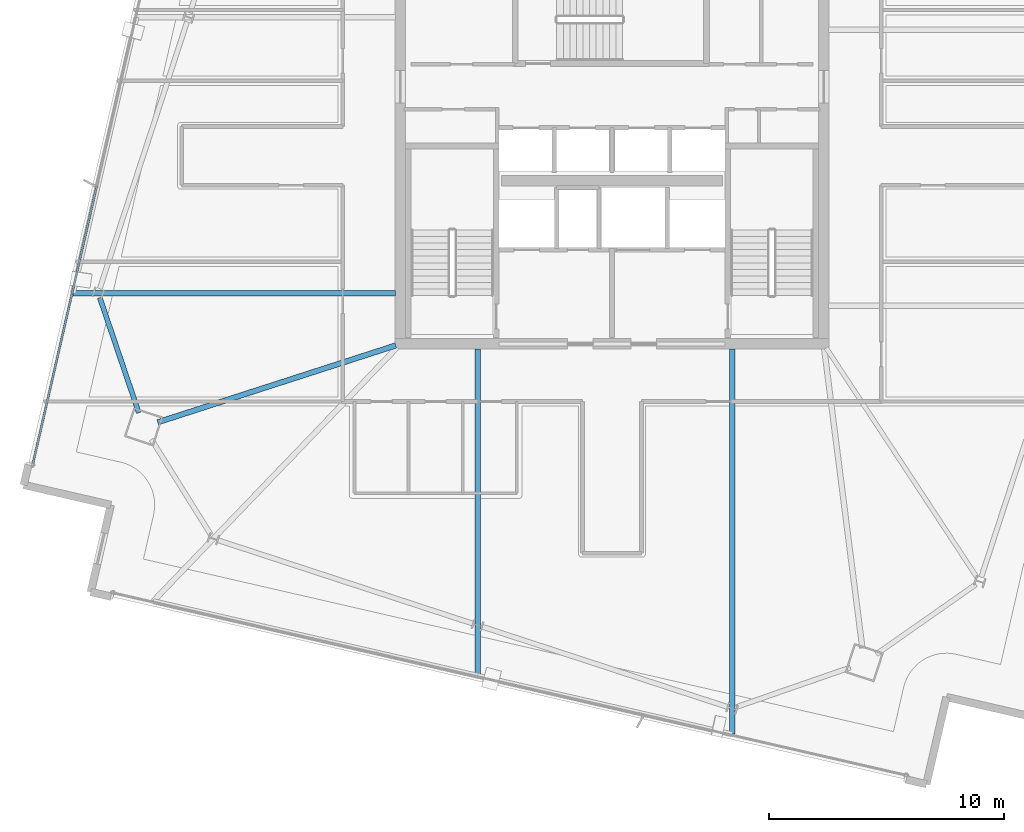
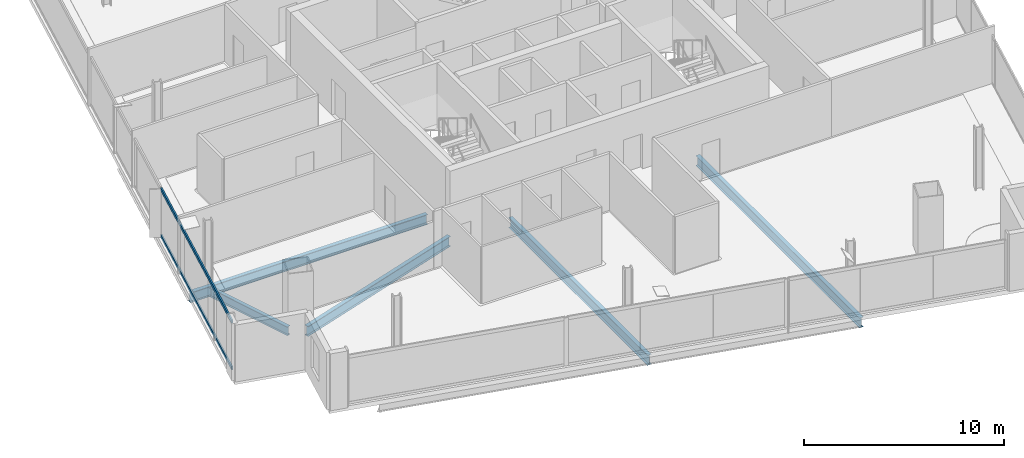
# One storey, part 5 of 28: 5 beams, 2 members, 1 element without a shape of its own.
"""IFC4 building model written with IfcOpenShell, lengths in metres."""

from ifc_helpers import new_model, si_unit, direction, frame, origin, origin_2d, place, context, subcontext, project, spatial, hollow_rectangle, i_section, extrude, material, material_profile, profile_set, type_object, element, aggregate, save


model = new_model("IFC4")

# Units and contexts
model_context = context("Model", 3, precision=1e-05, world=origin(), true_north=direction((0.0, 1.0)))
body_context = subcontext(model_context, "Body", "Model", "MODEL_VIEW")
ifc_project = project(units=[si_unit("LENGTHUNIT", "METRE"), si_unit("AREAUNIT", "SQUARE_METRE"), si_unit("VOLUMEUNIT", "CUBIC_METRE"), si_unit("PLANEANGLEUNIT", "RADIAN"), si_unit("MASSUNIT", "GRAM", prefix="KILO")], contexts=[model_context])

# Site, building, storey
site_placement = place(None, origin())
site = spatial("IfcSite", under=ifc_project, at=site_placement, CompositionType="ELEMENT")
building_placement = place(site_placement, origin())
building = spatial("IfcBuilding", under=site, at=building_placement, Name="Haldenkirk Collegiate Tower", CompositionType="ELEMENT")
storey_placement = place(building_placement, frame((0.0, 0.0, 286.199951171875)))
storey = spatial("IfcBuildingStorey", under=building, at=storey_placement, Name="L72", CompositionType="ELEMENT", Elevation=286.199951171875)

# Beams
ifc_material_1 = material(Name="Steel ASTM A992 Grade 50", Category="steel")
ifc_material_profile_1 = material_profile(ifc_material_1, i_section(OverallWidth=0.22998046875, OverallDepth=0.616943359375, WebThickness=0.01318359375, FlangeThickness=0.022216796875, at=origin_2d()), Name="W24X94")
ifc_profile_set_1 = profile_set([ifc_material_profile_1], Name="Steel ASTM A992 Grade 50")
beam_type_1 = type_object("IfcBeamType", Name="BM-GIRDER-W24X94", PredefinedType="BEAM", material=ifc_profile_set_1)
beam_1_placement = place(storey_placement, frame((16.677001953125, 14.66796875, -0.578369140625), z_axis=(0.95165454957, 0.307170340824, 0.0), x_axis=(-0.307170340824, 0.95165454957, 0.0)))
element("IfcBeam", 1, at=beam_1_placement, inside=storey, type_object=beam_type_1, Name="L72 primary floor girder 04", PredefinedType="BEAM", context=body_context, shape_type="SweptSolid", body=[
    extrude(i_section(OverallWidth=0.22998046875, OverallDepth=0.616943359375, WebThickness=0.01318359375, FlangeThickness=0.022216796875, at=origin_2d()), origin(), (0.0, 0.0, 1.0), 10.642333984375),
])
beam_2_placement = place(storey_placement, frame((13.077880859375, 20.157958984375, -0.578369140625), z_axis=(1.0, 0.0, 0.0), x_axis=(0.0, 1.0, 0.0)))
element("IfcBeam", 2, at=beam_2_placement, inside=storey, type_object=beam_type_1, Name="L72 primary floor girder 13", PredefinedType="BEAM", context=body_context, shape_type="SweptSolid", body=[
    extrude(i_section(OverallWidth=0.22998046875, OverallDepth=0.616943359375, WebThickness=0.01318359375, FlangeThickness=0.022216796875, at=origin_2d()), origin(), (0.0, 0.0, 1.0), 13.717041015625),
])
beam_3_placement = place(storey_placement, frame((30.283203125, 3.888916015625, -0.578369140625), z_axis=(0.0, 1.0, 0.0), x_axis=(-1.0, 0.0, 0.0)))
element("IfcBeam", 3, at=beam_3_placement, inside=storey, type_object=beam_type_1, Name="L72 primary floor girder 15", PredefinedType="BEAM", context=body_context, shape_type="SweptSolid", body=[
    extrude(i_section(OverallWidth=0.22998046875, OverallDepth=0.616943359375, WebThickness=0.01318359375, FlangeThickness=0.022216796875, at=origin_2d()), origin(), (0.0, 0.0, 1.0), 13.906005859375),
])
beam_4_placement = place(storey_placement, frame((41.111083984375, 1.39892578125, -0.578369140625), z_axis=(0.0, 1.0, 0.0), x_axis=(-1.0, 0.0, 0.0)))
element("IfcBeam", 4, at=beam_4_placement, inside=storey, type_object=beam_type_1, Name="L72 primary floor girder 16", PredefinedType="BEAM", context=body_context, shape_type="SweptSolid", body=[
    extrude(i_section(OverallWidth=0.22998046875, OverallDepth=0.616943359375, WebThickness=0.01318359375, FlangeThickness=0.022216796875, at=origin_2d()), origin(), (0.0, 0.0, 1.0), 16.39599609375),
])
ifc_material_profile_2 = material_profile(ifc_material_1, i_section(OverallWidth=0.2099609375, OverallDepth=0.537109375, WebThickness=0.010986328125, FlangeThickness=0.017333984375, at=origin_2d()), Name="W21X68")
ifc_profile_set_2 = profile_set([ifc_material_profile_2], Name="Steel ASTM A992 Grade 50")
beam_type_2 = type_object("IfcBeamType", Name="BM-SPANDREL-W21X68", PredefinedType="SPANDREL", material=ifc_profile_set_2)
beam_5_placement = place(storey_placement, frame((14.214599609375, 19.96630859375, -0.538330078125), z_axis=(0.321210878439, -0.947007693513, 0.0), x_axis=(0.947007693513, 0.321210878439, 0.0)))
element("IfcBeam", 5, at=beam_5_placement, inside=storey, type_object=beam_type_2, Name="L72 perimeter spandrel beam 12", PredefinedType="SPANDREL", context=body_context, shape_type="SweptSolid", body=[
    extrude(i_section(OverallWidth=0.2099609375, OverallDepth=0.537109375, WebThickness=0.010986328125, FlangeThickness=0.017333984375, at=origin_2d()), origin(), (0.0, 0.0, 1.0), 5.169189453125),
])

# Curtain wall, members
ifc_material_2 = material(Name="Anodised architectural bronze aluminium", Category="aluminium")
curtain_wall_type = type_object("IfcCurtainWallType", Name="CW-SYS1B-CONVEX-HI", PredefinedType="USERDEFINED", material=ifc_material_2)
curtain_wall_placement = place(storey_placement, origin())
curtain_wall = element("IfcCurtainWall", 6, at=curtain_wall_placement, inside=storey, type_object=curtain_wall_type, Name="L72 Upper tower high-wind convex bronze unitised curtain wall", ObjectType="UNITISED CURTAIN WALL", PredefinedType="USERDEFINED")
ifc_material_profile_3 = material_profile(ifc_material_2, hollow_rectangle(XDim=0.0849609375, YDim=0.199951171875, WallThickness=0.0048828125, at=origin_2d()), Name="CW-TRN-1B")
ifc_profile_set_3 = profile_set([ifc_material_profile_3], Name="Anodised architectural bronze aluminium")
member_type = type_object("IfcMemberType", Name="CW-TRN-1B", PredefinedType="USERDEFINED", material=ifc_profile_set_3)
member_1_placement = place(storey_placement, frame((11.37255859375, 12.92138671875, 0.04248046875), z_axis=(0.224118578746, 0.974561882417, 0.0), x_axis=(-0.974561882417, 0.224118578746, 0.0)))
member_1 = element("IfcMember", 7, at=member_1_placement, type_object=member_type, Name="CW-1B transom 1.1", ObjectType="TRANSOM", PredefinedType="USERDEFINED", context=body_context, shape_type="SweptSolid", body=[
    extrude(hollow_rectangle(XDim=0.0849609375, YDim=0.199951171875, WallThickness=0.0048828125, at=origin_2d()), origin(), (0.0, 0.0, 1.0), 12.105712890625),
])
member_2_placement = place(storey_placement, frame((11.37255859375, 12.92138671875, 2.8955078125), z_axis=(0.224118578746, 0.974561882417, 0.0), x_axis=(-0.974561882417, 0.224118578746, 0.0)))
member_2 = element("IfcMember", 8, at=member_2_placement, type_object=member_type, Name="CW-1B transom 1.2", ObjectType="TRANSOM", PredefinedType="USERDEFINED", context=body_context, shape_type="SweptSolid", body=[
    extrude(hollow_rectangle(XDim=0.0849609375, YDim=0.199951171875, WallThickness=0.0048828125, at=origin_2d()), origin(), (0.0, 0.0, 1.0), 12.105712890625),
])
aggregate(curtain_wall, [member_1, member_2])

save(model, "model.ifc")
